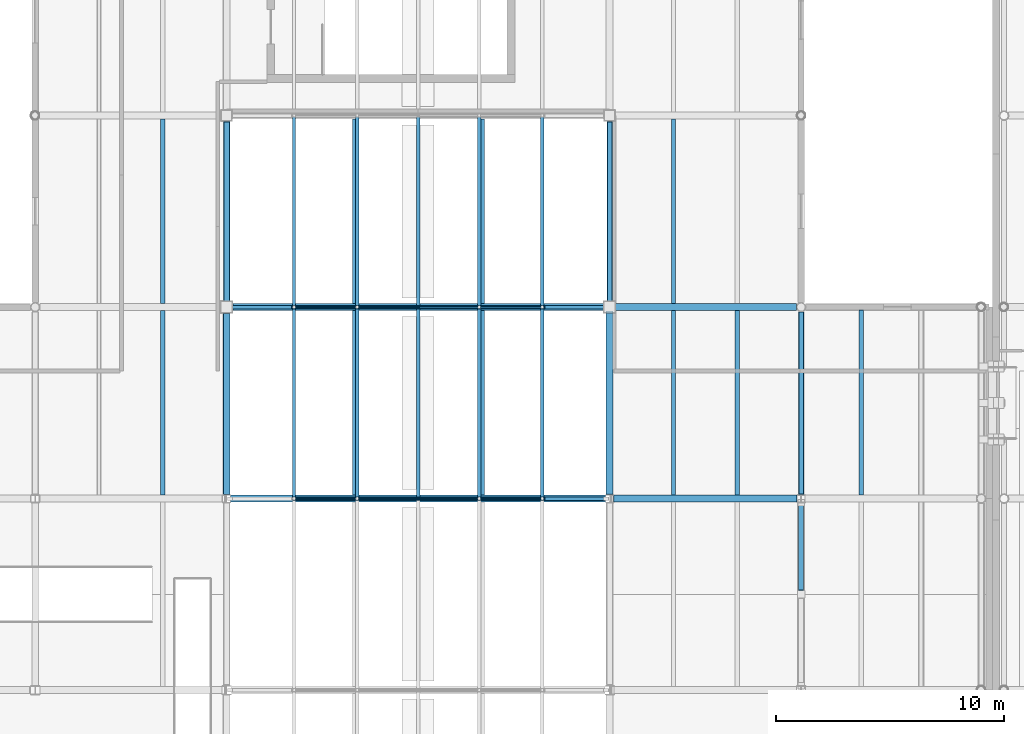
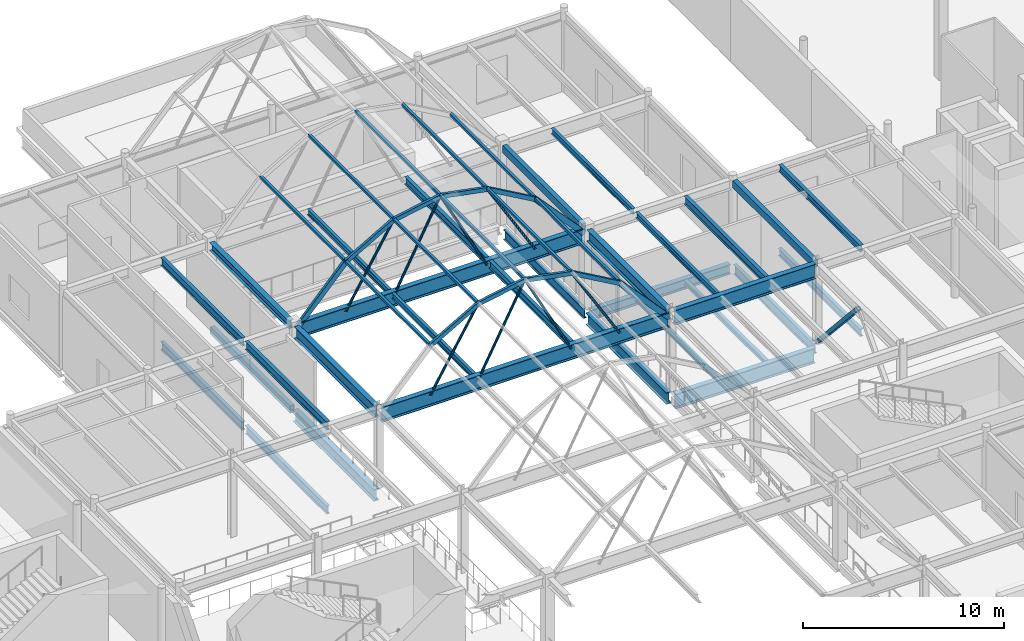
# One storey, part 31 of 103: 31 beams, 30 members.
"""IFC4 building model written with IfcOpenShell, lengths in metres."""

from ifc_helpers import new_model, si_unit, direction, frame, origin, origin_2d, place, context, subcontext, project, spatial, hollow_rectangle, hollow_circle, i_section, extrude, material, material_profile, profile_set, type_object, element, save


model = new_model("IFC4")

# Units and contexts
model_context = context("Model", 3, precision=1e-05, world=origin(), true_north=direction((0.0, 1.0)))
body_context = subcontext(model_context, "Body", "Model", "MODEL_VIEW")
ifc_project = project(units=[si_unit("LENGTHUNIT", "METRE"), si_unit("AREAUNIT", "SQUARE_METRE"), si_unit("VOLUMEUNIT", "CUBIC_METRE"), si_unit("PLANEANGLEUNIT", "RADIAN"), si_unit("MASSUNIT", "GRAM", prefix="KILO"), si_unit("THERMODYNAMICTEMPERATUREUNIT", "KELVIN")], contexts=[model_context])

# Site, building, storey
site_placement = place(None, origin())
site = spatial("IfcSite", under=ifc_project, at=site_placement, CompositionType="ELEMENT")
building_placement = place(site_placement, origin())
building = spatial("IfcBuilding", under=site, at=building_placement, Name="Lustrewick Department Store", CompositionType="ELEMENT")
storey_placement = place(building_placement, frame((0.0, 0.0, 16.5)))
storey = spatial("IfcBuildingStorey", under=building, at=storey_placement, Name="L04", CompositionType="ELEMENT", Elevation=16.5)

# Beams
ifc_material_1 = material(Name="Structural steel Q355B", Category="steel")
ifc_material_profile_1 = material_profile(ifc_material_1, i_section(OverallWidth=0.199951171875, OverallDepth=0.5, WebThickness=0.010009765625, FlangeThickness=0.01611328125, FilletRadius=0.01611328125, at=origin_2d()), Name="HN 500x200x10x16")
ifc_profile_set_1 = profile_set([ifc_material_profile_1], Name="Structural steel Q355B")
beam_type_1 = type_object("IfcBeamType", Name="B01", PredefinedType="JOIST", material=ifc_profile_set_1)
for number, where, z_axis, x_axis, name in (
    (1, (72.800048828125, 75.75, -0.5048828125), (0.0, 1.0, 0.0), (-1.0, 0.0, 0.0), "L04 V2 Secondary Joist B01"),
    (2, (72.800048828125, 84.14990234375, -0.5048828125), (0.0, 1.0, 0.0), (-1.0, 0.0, 0.0), "L04 V2 Secondary Joist B01"),
):
    element("IfcBeam", number, at=place(storey_placement, frame(where, z_axis=z_axis, x_axis=x_axis)), inside=storey, type_object=beam_type_1, Name=name, PredefinedType="JOIST", context=body_context, shape_type="SweptSolid", body=[
        extrude(i_section(OverallWidth=0.199951171875, OverallDepth=0.5, WebThickness=0.010009765625, FlangeThickness=0.01611328125, FilletRadius=0.01611328125, at=origin_2d()), origin(), (0.0, 0.0, 1.0), 8.10009765625),
    ])
beam_1_placement = place(storey_placement, frame((98.0, 75.74951171875, 4.594970703125), z_axis=(0.0, 1.0, 0.0), x_axis=(-1.0, 0.0, 0.0)))
element("IfcBeam", 3, at=beam_1_placement, inside=storey, type_object=beam_type_1, Name="L04 V2 Secondary Joist B01", PredefinedType="JOIST", context=body_context, shape_type="SweptSolid", body=[
    extrude(i_section(OverallWidth=0.199951171875, OverallDepth=0.5, WebThickness=0.010009765625, FlangeThickness=0.01611328125, FilletRadius=0.01611328125, at=origin_2d()), origin(), (0.0, 0.0, 1.0), 8.1005859375),
])
ifc_material_profile_2 = material_profile(ifc_material_1, i_section(OverallWidth=0.198974609375, OverallDepth=0.49609375, WebThickness=0.009033203125, FlangeThickness=0.013916015625, FilletRadius=0.01611328125, at=origin_2d()), Name="HN 496x199x9x14")
ifc_profile_set_2 = profile_set([ifc_material_profile_2], Name="Structural steel Q355B")
beam_type_2 = type_object("IfcBeamType", Name="B02", PredefinedType="JOIST", material=ifc_profile_set_2)
for number, where, z_axis, x_axis, name in (
    (4, (72.800048828125, 75.75, 4.596923828125), (0.0, 1.0, 0.0), (-1.0, 0.0, 0.0), "L04 V2 Secondary Joist B02"),
    (5, (72.800048828125, 84.1494140625, 4.596923828125), (0.0, 1.0, 0.0), (-1.0, 0.0, 0.0), "L04 V2 Secondary Joist B02"),
):
    element("IfcBeam", number, at=place(storey_placement, frame(where, z_axis=z_axis, x_axis=x_axis)), inside=storey, type_object=beam_type_2, Name=name, PredefinedType="JOIST", context=body_context, shape_type="SweptSolid", body=[
        extrude(i_section(OverallWidth=0.198974609375, OverallDepth=0.49609375, WebThickness=0.009033203125, FlangeThickness=0.013916015625, FilletRadius=0.01611328125, at=origin_2d()), origin(), (0.0, 0.0, 1.0), 8.1005859375),
    ])
ifc_material_profile_3 = material_profile(ifc_material_1, i_section(OverallWidth=0.199951171875, OverallDepth=0.449951171875, WebThickness=0.009033203125, FlangeThickness=0.013916015625, FilletRadius=0.01611328125, at=origin_2d()), Name="HN 450x200x9x14")
ifc_profile_set_3 = profile_set([ifc_material_profile_3], Name="Structural steel Q355B")
beam_type_3 = type_object("IfcBeamType", Name="B03", PredefinedType="JOIST", material=ifc_profile_set_3)
for number, where, z_axis, x_axis, name in (
    (6, (86.800048828125, 75.75, 4.6201171875), (0.0, 1.0, 0.0), (-1.0, 0.0, 0.0), "L04 V2 Secondary Joist B03"),
    (7, (86.800048828125, 84.14990234375, 4.6201171875), (0.0, 1.0, 0.0), (-1.0, 0.0, 0.0), "L04 V2 Secondary Joist B03"),
):
    element("IfcBeam", number, at=place(storey_placement, frame(where, z_axis=z_axis, x_axis=x_axis)), inside=storey, type_object=beam_type_3, Name=name, PredefinedType="JOIST", context=body_context, shape_type="SweptSolid", body=[
        extrude(i_section(OverallWidth=0.199951171875, OverallDepth=0.449951171875, WebThickness=0.009033203125, FlangeThickness=0.013916015625, FilletRadius=0.01611328125, at=origin_2d()), origin(), (0.0, 0.0, 1.0), 8.10009765625),
    ])
ifc_material_profile_4 = material_profile(ifc_material_1, i_section(OverallWidth=0.198974609375, OverallDepth=0.446044921875, WebThickness=0.008056640625, FlangeThickness=0.011962890625, FilletRadius=0.01611328125, at=origin_2d()), Name="HN 446x199x8x12")
ifc_profile_set_4 = profile_set([ifc_material_profile_4], Name="Structural steel Q355B")
beam_type_4 = type_object("IfcBeamType", Name="B04", PredefinedType="JOIST", material=ifc_profile_set_4)
beam_2_placement = place(storey_placement, frame((103.433349609375, 75.7509765625, -0.47802734375), z_axis=(0.0, 1.0, 0.0), x_axis=(-1.0, 0.0, 0.0)))
element("IfcBeam", 8, at=beam_2_placement, inside=storey, type_object=beam_type_4, Name="L04 V2 Secondary Joist B04", PredefinedType="JOIST", context=body_context, shape_type="SweptSolid", body=[
    extrude(i_section(OverallWidth=0.198974609375, OverallDepth=0.446044921875, WebThickness=0.008056640625, FlangeThickness=0.011962890625, FilletRadius=0.01611328125, at=origin_2d()), origin(), (0.0, 0.0, 1.0), 8.1484375),
])
ifc_material_profile_5 = material_profile(ifc_material_1, i_section(OverallWidth=0.199951171875, OverallDepth=0.39990234375, WebThickness=0.008056640625, FlangeThickness=0.012939453125, FilletRadius=0.013916015625, at=origin_2d()), Name="HN 400x200x8x13")
ifc_profile_set_5 = profile_set([ifc_material_profile_5], Name="Structural steel Q355B")
beam_type_5 = type_object("IfcBeamType", Name="B05", PredefinedType="JOIST", material=ifc_profile_set_5)
beam_3_placement = place(storey_placement, frame((103.433349609375, 75.75, 4.64501953125), z_axis=(0.0, 1.0, 0.0), x_axis=(-1.0, 0.0, 0.0)))
element("IfcBeam", 9, at=beam_3_placement, inside=storey, type_object=beam_type_5, Name="L04 V2 Secondary Joist B05", PredefinedType="JOIST", context=body_context, shape_type="SweptSolid", body=[
    extrude(i_section(OverallWidth=0.199951171875, OverallDepth=0.39990234375, WebThickness=0.008056640625, FlangeThickness=0.012939453125, FilletRadius=0.013916015625, at=origin_2d()), origin(), (0.0, 0.0, 1.0), 8.10009765625),
])
ifc_material_profile_6 = material_profile(ifc_material_1, i_section(OverallWidth=0.175048828125, OverallDepth=0.35009765625, WebThickness=0.007080078125, FlangeThickness=0.010986328125, FilletRadius=0.012939453125, at=origin_2d()), Name="HN 350x175x7x11")
ifc_profile_set_6 = profile_set([ifc_material_profile_6], Name="Structural steel Q355B")
beam_type_6 = type_object("IfcBeamType", Name="B09", PredefinedType="JOIST", material=ifc_profile_set_6)
for number, where, z_axis, x_axis, name in (
    (10, (95.199951171875, 75.75, -0.429931640625), (0.0, 1.0, 0.0), (-1.0, 0.0, 0.0), "L04 V2 Secondary Joist B09"),
    (11, (95.199951171875, 84.15087890625, -0.429931640625), (0.0, 1.0, 0.0), (-1.0, 0.0, 0.0), "L04 V2 Secondary Joist B09"),
):
    element("IfcBeam", number, at=place(storey_placement, frame(where, z_axis=z_axis, x_axis=x_axis)), inside=storey, type_object=beam_type_6, Name=name, PredefinedType="JOIST", context=body_context, shape_type="SweptSolid", body=[
        extrude(i_section(OverallWidth=0.175048828125, OverallDepth=0.35009765625, WebThickness=0.007080078125, FlangeThickness=0.010986328125, FilletRadius=0.012939453125, at=origin_2d()), origin(), (0.0, 0.0, 1.0), 8.09912109375),
    ])
for number, where, z_axis, x_axis, name in (
    (12, (81.199951171875, 75.75, 4.669921875), (0.0, 1.0, 0.0), (-1.0, 0.0, 0.0), "L04 V2 Secondary Joist B09"),
    (13, (81.199951171875, 84.14990234375, 4.669921875), (0.0, 1.0, 0.0), (-1.0, 0.0, 0.0), "L04 V2 Secondary Joist B09"),
):
    element("IfcBeam", number, at=place(storey_placement, frame(where, z_axis=z_axis, x_axis=x_axis)), inside=storey, type_object=beam_type_6, Name=name, PredefinedType="JOIST", context=body_context, shape_type="SweptSolid", body=[
        extrude(i_section(OverallWidth=0.175048828125, OverallDepth=0.35009765625, WebThickness=0.007080078125, FlangeThickness=0.010986328125, FilletRadius=0.012939453125, at=origin_2d()), origin(), (0.0, 0.0, 1.0), 8.10009765625),
    ])
ifc_material_profile_7 = material_profile(ifc_material_1, i_section(OverallWidth=0.174072265625, OverallDepth=0.345947265625, WebThickness=0.006103515625, FlangeThickness=0.009033203125, FilletRadius=0.012939453125, at=origin_2d()), Name="HN 346x174x6x9")
ifc_profile_set_7 = profile_set([ifc_material_profile_7], Name="Structural steel Q355B")
beam_type_7 = type_object("IfcBeamType", Name="B10", PredefinedType="JOIST", material=ifc_profile_set_7)
for number, where, z_axis, x_axis, name in (
    (14, (95.199951171875, 75.74951171875, 4.672119140625), (0.0, 1.0, 0.0), (-1.0, 0.0, 0.0), "L04 V2 Secondary Joist B10"),
    (15, (95.199951171875, 84.14990234375, 4.672119140625), (0.0, 1.0, 0.0), (-1.0, 0.0, 0.0), "L04 V2 Secondary Joist B10"),
):
    element("IfcBeam", number, at=place(storey_placement, frame(where, z_axis=z_axis, x_axis=x_axis)), inside=storey, type_object=beam_type_7, Name=name, PredefinedType="JOIST", context=body_context, shape_type="SweptSolid", body=[
        extrude(i_section(OverallWidth=0.174072265625, OverallDepth=0.345947265625, WebThickness=0.006103515625, FlangeThickness=0.009033203125, FilletRadius=0.012939453125, at=origin_2d()), origin(), (0.0, 0.0, 1.0), 8.1005859375),
    ])
ifc_material_profile_8 = material_profile(ifc_material_1, i_section(OverallWidth=0.199951171875, OverallDepth=0.2939453125, WebThickness=0.008056640625, FlangeThickness=0.011962890625, FilletRadius=0.013916015625, at=origin_2d()), Name="HM 294x200x8x12")
ifc_profile_set_8 = profile_set([ifc_material_profile_8], Name="Structural steel Q355B")
beam_type_8 = type_object("IfcBeamType", Name="B13", PredefinedType="JOIST", material=ifc_profile_set_8)
beam_4_placement = place(storey_placement, frame((98.0, 75.75, -0.402099609375), z_axis=(0.0, 1.0, 0.0), x_axis=(-1.0, 0.0, 0.0)))
element("IfcBeam", 16, at=beam_4_placement, inside=storey, type_object=beam_type_8, Name="L04 V2 Secondary Joist B13", PredefinedType="JOIST", context=body_context, shape_type="SweptSolid", body=[
    extrude(i_section(OverallWidth=0.199951171875, OverallDepth=0.2939453125, WebThickness=0.008056640625, FlangeThickness=0.011962890625, FilletRadius=0.013916015625, at=origin_2d()), origin(), (0.0, 0.0, 1.0), 8.09912109375),
])

# Members
ifc_material_profile_9 = material_profile(ifc_material_1, hollow_rectangle(XDim=0.219970703125, YDim=0.219970703125, WallThickness=0.010009765625, at=origin_2d()), Name="SHS 220x220x10")
ifc_profile_set_9 = profile_set([ifc_material_profile_9], Name="Structural steel Q355B")
member_type_1 = type_object("IfcMemberType", Name="BR08", PredefinedType="BRACE", material=ifc_profile_set_9)
member_1_placement = place(storey_placement, frame((100.800048828125, 75.425048828125, 0.14990234375), z_axis=(0.0, -0.670318107441, 0.742073874245), x_axis=(1.0, 0.0, 0.0)))
element("IfcMember", 17, at=member_1_placement, inside=storey, type_object=member_type_1, Name="L04 V2 Chevron Brace BR08", PredefinedType="BRACE", context=body_context, shape_type="SweptSolid", body=[
    extrude(hollow_rectangle(XDim=0.219970703125, YDim=0.219970703125, WallThickness=0.010009765625, at=origin_2d()), origin(), (0.0, 0.0, 1.0), 5.85546875),
])
ifc_material_2 = material(Name="Structural steel Q355C", Category="steel")
ifc_material_profile_10 = material_profile(ifc_material_2, hollow_rectangle(XDim=0.14990234375, YDim=0.300048828125, WallThickness=0.010009765625, at=origin_2d()), Name="RHS 300x150x10")
ifc_profile_set_10 = profile_set([ifc_material_profile_10], Name="Structural steel Q355C")
member_type_2 = type_object("IfcMemberType", Name="DR01", PredefinedType="USERDEFINED", material=ifc_profile_set_10)
for number, where, z_axis, x_axis, name in (
    (18, (89.445068359375, 75.60009765625, 7.5341796875), (0.678233515991, 0.0, -0.734846445039), (0.0, 1.0, 0.0), "V2 Verriere Arch Segment 5.6"),
    (19, (75.75, 84.0, 4.4951171875), (0.678233515991, 0.0, 0.734846445039), (0.0, 1.0, 0.0), "V2 Verriere Arch Segment 6.1"),
    (20, (89.445068359375, 84.0, 7.5341796875), (0.678233515991, 0.0, -0.734846445039), (0.0, 1.0, 0.0), "V2 Verriere Arch Segment 6.6"),
):
    element("IfcMember", number, at=place(storey_placement, frame(where, z_axis=z_axis, x_axis=x_axis)), inside=storey, type_object=member_type_2, Name=name, ObjectType="ARCH_SEGMENT", PredefinedType="USERDEFINED", context=body_context, shape_type="SweptSolid", body=[
        extrude(hollow_rectangle(XDim=0.14990234375, YDim=0.300048828125, WallThickness=0.010009765625, at=origin_2d()), origin(), (0.0, 0.0, 1.0), 4.1357421875),
    ])
ifc_material_profile_11 = material_profile(ifc_material_2, hollow_rectangle(XDim=0.14990234375, YDim=0.25, WallThickness=0.010009765625, at=origin_2d()), Name="RHS 250x150x10")
ifc_profile_set_11 = profile_set([ifc_material_profile_11], Name="Structural steel Q355C")
member_type_3 = type_object("IfcMemberType", Name="DR03", PredefinedType="USERDEFINED", material=ifc_profile_set_11)
member_2_placement = place(storey_placement, frame((78.554931640625, 75.60009765625, 7.5341796875), z_axis=(0.868243142124, 0.0, 0.496138938357), x_axis=(0.0, 1.0, 0.0)))
element("IfcMember", 21, at=member_2_placement, inside=storey, type_object=member_type_3, Name="V2 Verriere Arch Segment 5.2", ObjectType="ARCH_SEGMENT", PredefinedType="USERDEFINED", context=body_context, shape_type="SweptSolid", body=[
    extrude(hollow_rectangle(XDim=0.14990234375, YDim=0.25, WallThickness=0.010009765625, at=origin_2d()), origin(), (0.0, 0.0, 1.0), 3.186767578125),
])
for number, where, z_axis, x_axis, name in (
    (22, (81.32177734375, 75.60009765625, 9.115234375), (0.982347187118, 0.0, 0.187066843563), (0.0, 1.0, 0.0), "V2 Verriere Arch Segment 5.3"),
    (23, (84.0, 75.60009765625, 9.625244140625), (0.982347187118, 0.0, -0.187066843563), (0.0, 1.0, 0.0), "V2 Verriere Arch Segment 5.4"),
):
    element("IfcMember", number, at=place(storey_placement, frame(where, z_axis=z_axis, x_axis=x_axis)), inside=storey, type_object=member_type_3, Name=name, ObjectType="ARCH_SEGMENT", PredefinedType="USERDEFINED", context=body_context, shape_type="SweptSolid", body=[
        extrude(hollow_rectangle(XDim=0.14990234375, YDim=0.25, WallThickness=0.010009765625, at=origin_2d()), origin(), (0.0, 0.0, 1.0), 2.726318359375),
    ])
for number, where, z_axis, x_axis, name in (
    (24, (86.67822265625, 75.60009765625, 9.115234375), (0.868243142124, 0.0, -0.496138938357), (0.0, 1.0, 0.0), "V2 Verriere Arch Segment 5.5"),
    (25, (78.554931640625, 84.0, 7.5341796875), (0.868243142124, 0.0, 0.496138938357), (0.0, 1.0, 0.0), "V2 Verriere Arch Segment 6.2"),
):
    element("IfcMember", number, at=place(storey_placement, frame(where, z_axis=z_axis, x_axis=x_axis)), inside=storey, type_object=member_type_3, Name=name, ObjectType="ARCH_SEGMENT", PredefinedType="USERDEFINED", context=body_context, shape_type="SweptSolid", body=[
        extrude(hollow_rectangle(XDim=0.14990234375, YDim=0.25, WallThickness=0.010009765625, at=origin_2d()), origin(), (0.0, 0.0, 1.0), 3.186767578125),
    ])
for number, where, z_axis, x_axis, name in (
    (26, (81.32177734375, 84.0, 9.115234375), (0.982347187118, 0.0, 0.187066843563), (0.0, 1.0, 0.0), "V2 Verriere Arch Segment 6.3"),
    (27, (84.0, 84.0, 9.625244140625), (0.982347187118, 0.0, -0.187066843563), (0.0, 1.0, 0.0), "V2 Verriere Arch Segment 6.4"),
):
    element("IfcMember", number, at=place(storey_placement, frame(where, z_axis=z_axis, x_axis=x_axis)), inside=storey, type_object=member_type_3, Name=name, ObjectType="ARCH_SEGMENT", PredefinedType="USERDEFINED", context=body_context, shape_type="SweptSolid", body=[
        extrude(hollow_rectangle(XDim=0.14990234375, YDim=0.25, WallThickness=0.010009765625, at=origin_2d()), origin(), (0.0, 0.0, 1.0), 2.726318359375),
    ])
member_3_placement = place(storey_placement, frame((86.67822265625, 84.0, 9.115234375), z_axis=(0.868243142124, 0.0, -0.496138938357), x_axis=(0.0, 1.0, 0.0)))
element("IfcMember", 28, at=member_3_placement, inside=storey, type_object=member_type_3, Name="V2 Verriere Arch Segment 6.5", ObjectType="ARCH_SEGMENT", PredefinedType="USERDEFINED", context=body_context, shape_type="SweptSolid", body=[
    extrude(hollow_rectangle(XDim=0.14990234375, YDim=0.25, WallThickness=0.010009765625, at=origin_2d()), origin(), (0.0, 0.0, 1.0), 3.186767578125),
])
ifc_material_profile_12 = material_profile(ifc_material_1, hollow_rectangle(XDim=0.14990234375, YDim=0.14990234375, WallThickness=0.008056640625, at=origin_2d()), Name="SHS 150x150x8")
ifc_profile_set_12 = profile_set([ifc_material_profile_12], Name="Structural steel Q355B")
member_type_4 = type_object("IfcMemberType", Name="DR05", PredefinedType="PURLIN", material=ifc_profile_set_12)
for number, where, z_axis, x_axis, name in (
    (29, (78.554443359375, 75.60009765625, 7.585205078125), (0.0, 1.0, 0.0), (-1.0, 0.0, 0.0), "V2 Verriere Longitudinal Purlin 5.2"),
    (30, (81.3212890625, 75.60009765625, 9.166259765625), (0.0, 1.0, 0.0), (-1.0, 0.0, 0.0), "V2 Verriere Longitudinal Purlin 5.3"),
    (31, (84.0, 75.60009765625, 9.67626953125), (0.0, 1.0, 0.0), (-1.0, 0.0, 0.0), "V2 Verriere Longitudinal Purlin 5.4"),
    (32, (86.6787109375, 75.60009765625, 9.166259765625), (0.0, 1.0, 0.0), (-1.0, 0.0, 0.0), "V2 Verriere Longitudinal Purlin 5.5"),
    (33, (89.445556640625, 75.60009765625, 7.585205078125), (0.0, 1.0, 0.0), (-1.0, 0.0, 0.0), "V2 Verriere Longitudinal Purlin 5.6"),
    (34, (78.554443359375, 84.0, 7.585205078125), (0.0, 1.0, 0.0), (-1.0, 0.0, 0.0), "V2 Verriere Longitudinal Purlin 6.2"),
    (35, (81.3212890625, 84.0, 9.166259765625), (0.0, 1.0, 0.0), (-1.0, 0.0, 0.0), "V2 Verriere Longitudinal Purlin 6.3"),
    (36, (84.0, 84.0, 9.67626953125), (0.0, 1.0, 0.0), (-1.0, 0.0, 0.0), "V2 Verriere Longitudinal Purlin 6.4"),
    (37, (86.6787109375, 84.0, 9.166259765625), (0.0, 1.0, 0.0), (-1.0, 0.0, 0.0), "V2 Verriere Longitudinal Purlin 6.5"),
    (38, (89.445556640625, 84.0, 7.585205078125), (0.0, 1.0, 0.0), (-1.0, 0.0, 0.0), "V2 Verriere Longitudinal Purlin 6.6"),
):
    element("IfcMember", number, at=place(storey_placement, frame(where, z_axis=z_axis, x_axis=x_axis)), inside=storey, type_object=member_type_4, Name=name, PredefinedType="PURLIN", context=body_context, shape_type="SweptSolid", body=[
        extrude(hollow_rectangle(XDim=0.14990234375, YDim=0.14990234375, WallThickness=0.008056640625, at=origin_2d()), origin(), (0.0, 0.0, 1.0), 8.39990234375),
    ])
ifc_material_profile_13 = material_profile(ifc_material_2, hollow_circle(Radius=0.070068359375, WallThickness=0.006103515625, at=origin_2d()), Name="CHS 140x6")
ifc_profile_set_13 = profile_set([ifc_material_profile_13], Name="Structural steel Q355C")
member_type_5 = type_object("IfcMemberType", Name="DR10", PredefinedType="BRACE", material=ifc_profile_set_13)
member_4_placement = place(storey_placement, frame((78.554931640625, 75.60009765625, 4.4951171875), z_axis=(0.513782216913, 0.0, 0.857920645272), x_axis=(0.0, 1.0, 0.0)))
element("IfcMember", 39, at=member_4_placement, inside=storey, type_object=member_type_5, Name="V2 Verriere Tension Truss Diagonal 5.1", PredefinedType="BRACE", context=body_context, shape_type="SweptSolid", body=[
    extrude(hollow_circle(Radius=0.070068359375, WallThickness=0.006103515625, at=origin_2d()), origin(), (0.0, 0.0, 1.0), 5.38525390625),
])
member_5_placement = place(storey_placement, frame((81.32177734375, 75.60009765625, 4.4951171875), z_axis=(0.462788020817, 0.0, 0.886468977341), x_axis=(0.0, 1.0, 0.0)))
element("IfcMember", 40, at=member_5_placement, inside=storey, type_object=member_type_5, Name="V2 Verriere Tension Truss Diagonal 5.2", PredefinedType="BRACE", context=body_context, shape_type="SweptSolid", body=[
    extrude(hollow_circle(Radius=0.070068359375, WallThickness=0.006103515625, at=origin_2d()), origin(), (0.0, 0.0, 1.0), 5.787109375),
])
member_6_placement = place(storey_placement, frame((89.445068359375, 75.60009765625, 4.4951171875), z_axis=(-0.513782216913, 0.0, 0.857920645272), x_axis=(0.0, -1.0, 0.0)))
element("IfcMember", 41, at=member_6_placement, inside=storey, type_object=member_type_5, Name="V2 Verriere Tension Truss Diagonal 5.3", PredefinedType="BRACE", context=body_context, shape_type="SweptSolid", body=[
    extrude(hollow_circle(Radius=0.070068359375, WallThickness=0.006103515625, at=origin_2d()), origin(), (0.0, 0.0, 1.0), 5.38525390625),
])
member_7_placement = place(storey_placement, frame((86.67822265625, 75.60009765625, 4.4951171875), z_axis=(-0.462788020817, 0.0, 0.886468977341), x_axis=(0.0, -1.0, 0.0)))
element("IfcMember", 42, at=member_7_placement, inside=storey, type_object=member_type_5, Name="V2 Verriere Tension Truss Diagonal 5.4", PredefinedType="BRACE", context=body_context, shape_type="SweptSolid", body=[
    extrude(hollow_circle(Radius=0.070068359375, WallThickness=0.006103515625, at=origin_2d()), origin(), (0.0, 0.0, 1.0), 5.787109375),
])
member_8_placement = place(storey_placement, frame((78.554931640625, 84.0, 4.4951171875), z_axis=(0.513782216913, 0.0, 0.857920645272), x_axis=(0.0, 1.0, 0.0)))
element("IfcMember", 43, at=member_8_placement, inside=storey, type_object=member_type_5, Name="V2 Verriere Tension Truss Diagonal 6.1", PredefinedType="BRACE", context=body_context, shape_type="SweptSolid", body=[
    extrude(hollow_circle(Radius=0.070068359375, WallThickness=0.006103515625, at=origin_2d()), origin(), (0.0, 0.0, 1.0), 5.38525390625),
])
member_9_placement = place(storey_placement, frame((81.32177734375, 84.0, 4.4951171875), z_axis=(0.462788020817, 0.0, 0.886468977341), x_axis=(0.0, 1.0, 0.0)))
element("IfcMember", 44, at=member_9_placement, inside=storey, type_object=member_type_5, Name="V2 Verriere Tension Truss Diagonal 6.2", PredefinedType="BRACE", context=body_context, shape_type="SweptSolid", body=[
    extrude(hollow_circle(Radius=0.070068359375, WallThickness=0.006103515625, at=origin_2d()), origin(), (0.0, 0.0, 1.0), 5.787109375),
])
member_10_placement = place(storey_placement, frame((89.445068359375, 84.0, 4.4951171875), z_axis=(-0.513782216913, 0.0, 0.857920645272), x_axis=(0.0, -1.0, 0.0)))
element("IfcMember", 45, at=member_10_placement, inside=storey, type_object=member_type_5, Name="V2 Verriere Tension Truss Diagonal 6.3", PredefinedType="BRACE", context=body_context, shape_type="SweptSolid", body=[
    extrude(hollow_circle(Radius=0.070068359375, WallThickness=0.006103515625, at=origin_2d()), origin(), (0.0, 0.0, 1.0), 5.38525390625),
])
member_11_placement = place(storey_placement, frame((86.67822265625, 84.0, 4.4951171875), z_axis=(-0.462788020817, 0.0, 0.886468977341), x_axis=(0.0, -1.0, 0.0)))
element("IfcMember", 46, at=member_11_placement, inside=storey, type_object=member_type_5, Name="V2 Verriere Tension Truss Diagonal 6.4", PredefinedType="BRACE", context=body_context, shape_type="SweptSolid", body=[
    extrude(hollow_circle(Radius=0.070068359375, WallThickness=0.006103515625, at=origin_2d()), origin(), (0.0, 0.0, 1.0), 5.787109375),
])

# Beams
ifc_material_profile_14 = material_profile(ifc_material_2, i_section(OverallWidth=0.300048828125, OverallDepth=0.89990234375, WebThickness=0.01611328125, FlangeThickness=0.028076171875, FilletRadius=0.02392578125, at=origin_2d()), Name="HN 900x300x16x28")
ifc_profile_set_14 = profile_set([ifc_material_profile_14], Name="Structural steel Q355C")
beam_type_9 = type_object("IfcBeamType", Name="G02", PredefinedType="BEAM", material=ifc_profile_set_14)
beam_5_placement = place(storey_placement, frame((92.60107421875, 75.60009765625, -0.705078125), z_axis=(1.0, 0.0, 0.0), x_axis=(0.0, 1.0, 0.0)))
element("IfcBeam", 47, at=beam_5_placement, inside=storey, type_object=beam_type_9, Name="L04 V2 Girder G02", PredefinedType="BEAM", context=body_context, shape_type="SweptSolid", body=[
    extrude(i_section(OverallWidth=0.300048828125, OverallDepth=0.89990234375, WebThickness=0.01611328125, FlangeThickness=0.028076171875, FilletRadius=0.02392578125, at=origin_2d()), origin(), (0.0, 0.0, 1.0), 7.998046875),
])
beam_6_placement = place(storey_placement, frame((75.77490234375, 75.60009765625, 4.39501953125), z_axis=(1.0, 0.0, 0.0), x_axis=(0.0, 1.0, 0.0)))
element("IfcBeam", 48, at=beam_6_placement, inside=storey, type_object=beam_type_9, Name="L04 V2 Girder G02", PredefinedType="BEAM", context=body_context, shape_type="SweptSolid", body=[
    extrude(i_section(OverallWidth=0.300048828125, OverallDepth=0.89990234375, WebThickness=0.01611328125, FlangeThickness=0.028076171875, FilletRadius=0.02392578125, at=origin_2d()), origin(), (0.0, 0.0, 1.0), 16.4501953125),
])
beam_7_placement = place(storey_placement, frame((75.875, 84.0, 4.39501953125), z_axis=(1.0, 0.0, 0.0), x_axis=(0.0, 1.0, 0.0)))
element("IfcBeam", 49, at=beam_7_placement, inside=storey, type_object=beam_type_9, Name="L04 V2 Girder G02", PredefinedType="BEAM", context=body_context, shape_type="SweptSolid", body=[
    extrude(i_section(OverallWidth=0.300048828125, OverallDepth=0.89990234375, WebThickness=0.01611328125, FlangeThickness=0.028076171875, FilletRadius=0.02392578125, at=origin_2d()), origin(), (0.0, 0.0, 1.0), 16.25),
])
ifc_material_profile_15 = material_profile(ifc_material_2, i_section(OverallWidth=0.299072265625, OverallDepth=0.889892578125, WebThickness=0.014892578125, FlangeThickness=0.02294921875, FilletRadius=0.02392578125, at=origin_2d()), Name="HN 890x299x15x23")
ifc_profile_set_15 = profile_set([ifc_material_profile_15], Name="Structural steel Q355C")
beam_type_10 = type_object("IfcBeamType", Name="G03", PredefinedType="BEAM", material=ifc_profile_set_15)
beam_8_placement = place(storey_placement, frame((92.574951171875, 75.60009765625, 4.39990234375), z_axis=(1.0, 0.0, 0.0), x_axis=(0.0, 1.0, 0.0)))
element("IfcBeam", 50, at=beam_8_placement, inside=storey, type_object=beam_type_10, Name="L04 V2 Girder G03", PredefinedType="BEAM", context=body_context, shape_type="SweptSolid", body=[
    extrude(i_section(OverallWidth=0.299072265625, OverallDepth=0.889892578125, WebThickness=0.014892578125, FlangeThickness=0.02294921875, FilletRadius=0.02392578125, at=origin_2d()), origin(), (0.0, 0.0, 1.0), 8.050048828125),
])
ifc_material_profile_16 = material_profile(ifc_material_2, i_section(OverallWidth=0.302001953125, OverallDepth=0.7080078125, WebThickness=0.014892578125, FlangeThickness=0.028076171875, FilletRadius=0.02001953125, at=origin_2d()), Name="HN 708x302x15x28")
ifc_profile_set_16 = profile_set([ifc_material_profile_16], Name="Structural steel Q355C")
beam_type_11 = type_object("IfcBeamType", Name="G07", PredefinedType="BEAM", material=ifc_profile_set_16)
for number, where, z_axis, x_axis, name in (
    (51, (75.60009765625, 75.7939453125, -0.60888671875), (0.0, 1.0, 0.0), (-1.0, 0.0, 0.0), "L04 V2 Girder G07"),
    (52, (92.39990234375, 75.7939453125, -0.60888671875), (0.0, 1.0, 0.0), (-1.0, 0.0, 0.0), "L04 V2 Girder G07"),
):
    element("IfcBeam", number, at=place(storey_placement, frame(where, z_axis=z_axis, x_axis=x_axis)), inside=storey, type_object=beam_type_11, Name=name, PredefinedType="BEAM", context=body_context, shape_type="SweptSolid", body=[
        extrude(i_section(OverallWidth=0.302001953125, OverallDepth=0.7080078125, WebThickness=0.014892578125, FlangeThickness=0.028076171875, FilletRadius=0.02001953125, at=origin_2d()), origin(), (0.0, 0.0, 1.0), 8.031005859375),
    ])
ifc_material_profile_17 = material_profile(ifc_material_1, i_section(OverallWidth=0.300048828125, OverallDepth=0.699951171875, WebThickness=0.012939453125, FlangeThickness=0.02392578125, FilletRadius=0.02001953125, at=origin_2d()), Name="HN 700x300x13x24")
ifc_profile_set_17 = profile_set([ifc_material_profile_17], Name="Structural steel Q355B")
beam_type_12 = type_object("IfcBeamType", Name="G08", PredefinedType="BEAM", material=ifc_profile_set_17)
for number, where, z_axis, x_axis, name in (
    (53, (75.60009765625, 75.77490234375, 4.4951171875), (0.0, 1.0, 0.0), (-1.0, 0.0, 0.0), "L04 V2 Girder G08"),
    (54, (92.39990234375, 75.77490234375, 4.4951171875), (0.0, 1.0, 0.0), (-1.0, 0.0, 0.0), "L04 V2 Girder G08"),
):
    element("IfcBeam", number, at=place(storey_placement, frame(where, z_axis=z_axis, x_axis=x_axis)), inside=storey, type_object=beam_type_12, Name=name, PredefinedType="BEAM", context=body_context, shape_type="SweptSolid", body=[
        extrude(i_section(OverallWidth=0.300048828125, OverallDepth=0.699951171875, WebThickness=0.012939453125, FlangeThickness=0.02392578125, FilletRadius=0.02001953125, at=origin_2d()), origin(), (0.0, 0.0, 1.0), 7.9501953125),
    ])
ifc_material_profile_18 = material_profile(ifc_material_1, i_section(OverallWidth=0.302001953125, OverallDepth=0.593994140625, WebThickness=0.013916015625, FlangeThickness=0.02294921875, FilletRadius=0.02392578125, at=origin_2d()), Name="HM 594x302x14x23")
ifc_profile_set_18 = profile_set([ifc_material_profile_18], Name="Structural steel Q355B")
beam_type_13 = type_object("IfcBeamType", Name="G10", PredefinedType="BEAM", material=ifc_profile_set_18)
beam_9_placement = place(storey_placement, frame((92.574951171875, 84.0, -0.552001953125), z_axis=(1.0, 0.0, 0.0), x_axis=(0.0, 1.0, 0.0)))
element("IfcBeam", 55, at=beam_9_placement, inside=storey, type_object=beam_type_13, Name="L04 V2 Girder G10", PredefinedType="BEAM", context=body_context, shape_type="SweptSolid", body=[
    extrude(i_section(OverallWidth=0.302001953125, OverallDepth=0.593994140625, WebThickness=0.013916015625, FlangeThickness=0.02294921875, FilletRadius=0.02392578125, at=origin_2d()), origin(), (0.0, 0.0, 1.0), 8.02197265625),
])
ifc_material_profile_19 = material_profile(ifc_material_1, i_section(OverallWidth=0.198974609375, OverallDepth=0.595947265625, WebThickness=0.010009765625, FlangeThickness=0.014892578125, FilletRadius=0.01806640625, at=origin_2d()), Name="HN 596x199x10x15")
ifc_profile_set_19 = profile_set([ifc_material_profile_19], Name="Structural steel Q355B")
beam_type_14 = type_object("IfcBeamType", Name="G15", PredefinedType="BEAM", material=ifc_profile_set_19)
beam_10_placement = place(storey_placement, frame((92.39990234375, 84.175048828125, -0.552978515625), z_axis=(0.0, 1.0, 0.0), x_axis=(-1.0, 0.0, 0.0)))
element("IfcBeam", 56, at=beam_10_placement, inside=storey, type_object=beam_type_14, Name="L04 V2 Girder G15", PredefinedType="BEAM", context=body_context, shape_type="SweptSolid", body=[
    extrude(i_section(OverallWidth=0.198974609375, OverallDepth=0.595947265625, WebThickness=0.010009765625, FlangeThickness=0.014892578125, FilletRadius=0.01806640625, at=origin_2d()), origin(), (0.0, 0.0, 1.0), 7.949951171875),
])
beam_11_placement = place(storey_placement, frame((100.800048828125, 75.7939453125, -0.552978515625), z_axis=(0.0, 1.0, 0.0), x_axis=(-1.0, 0.0, 0.0)))
element("IfcBeam", 57, at=beam_11_placement, inside=storey, type_object=beam_type_14, Name="L04 V2 Girder G15", PredefinedType="BEAM", context=body_context, shape_type="SweptSolid", body=[
    extrude(i_section(OverallWidth=0.198974609375, OverallDepth=0.595947265625, WebThickness=0.010009765625, FlangeThickness=0.014892578125, FilletRadius=0.01806640625, at=origin_2d()), origin(), (0.0, 0.0, 1.0), 8.003173828125),
])
ifc_material_profile_20 = material_profile(ifc_material_2, hollow_rectangle(XDim=0.25, YDim=0.449951171875, WallThickness=0.013916015625, at=origin_2d()), Name="RHS 450x250x14")
ifc_profile_set_20 = profile_set([ifc_material_profile_20], Name="Structural steel Q355C")
beam_type_15 = type_object("IfcBeamType", Name="G18", PredefinedType="BEAM", material=ifc_profile_set_20)
beam_12_placement = place(storey_placement, frame((75.60009765625, 84.175048828125, -0.47998046875), z_axis=(0.0, 1.0, 0.0), x_axis=(-1.0, 0.0, 0.0)))
element("IfcBeam", 58, at=beam_12_placement, inside=storey, type_object=beam_type_15, Name="L04 V2 Girder G18", PredefinedType="BEAM", context=body_context, shape_type="SweptSolid", body=[
    extrude(hollow_rectangle(XDim=0.25, YDim=0.449951171875, WallThickness=0.013916015625, at=origin_2d()), origin(), (0.0, 0.0, 1.0), 7.949951171875),
])
beam_13_placement = place(storey_placement, frame((92.39990234375, 84.27490234375, 4.6201171875), z_axis=(0.0, 1.0, 0.0), x_axis=(-1.0, 0.0, 0.0)))
element("IfcBeam", 59, at=beam_13_placement, inside=storey, type_object=beam_type_15, Name="L04 V2 Girder G18", PredefinedType="BEAM", context=body_context, shape_type="SweptSolid", body=[
    extrude(hollow_rectangle(XDim=0.25, YDim=0.449951171875, WallThickness=0.013916015625, at=origin_2d()), origin(), (0.0, 0.0, 1.0), 7.875),
])
beam_14_placement = place(storey_placement, frame((100.800048828125, 75.77490234375, 4.6201171875), z_axis=(0.0, 1.0, 0.0), x_axis=(-1.0, 0.0, 0.0)))
element("IfcBeam", 60, at=beam_14_placement, inside=storey, type_object=beam_type_15, Name="L04 V2 Girder G18", PredefinedType="BEAM", context=body_context, shape_type="SweptSolid", body=[
    extrude(hollow_rectangle(XDim=0.25, YDim=0.449951171875, WallThickness=0.013916015625, at=origin_2d()), origin(), (0.0, 0.0, 1.0), 8.022216796875),
])
ifc_material_profile_21 = material_profile(ifc_material_1, i_section(OverallWidth=0.300048828125, OverallDepth=0.48193359375, WebThickness=0.010986328125, FlangeThickness=0.014892578125, FilletRadius=0.02197265625, at=origin_2d()), Name="HM 482x300x11x15")
ifc_profile_set_21 = profile_set([ifc_material_profile_21], Name="Structural steel Q355B")
beam_type_16 = type_object("IfcBeamType", Name="G20", PredefinedType="BEAM", material=ifc_profile_set_21)
beam_15_placement = place(storey_placement, frame((75.60009765625, 84.27490234375, 4.60400390625), z_axis=(0.0, 1.0, 0.0), x_axis=(-1.0, 0.0, 0.0)))
element("IfcBeam", 61, at=beam_15_placement, inside=storey, type_object=beam_type_16, Name="L04 V2 Girder G20", PredefinedType="BEAM", context=body_context, shape_type="SweptSolid", body=[
    extrude(i_section(OverallWidth=0.300048828125, OverallDepth=0.48193359375, WebThickness=0.010986328125, FlangeThickness=0.014892578125, FilletRadius=0.02197265625, at=origin_2d()), origin(), (0.0, 0.0, 1.0), 7.875),
])

save(model, "model.ifc")
